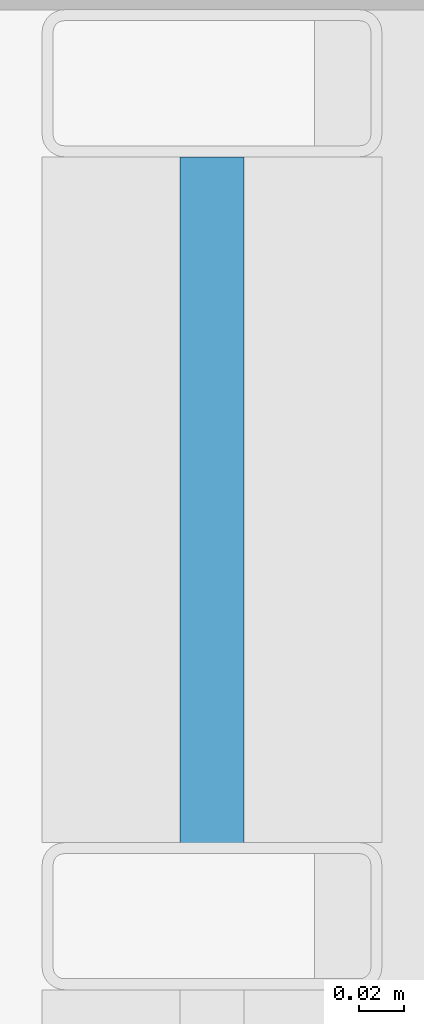
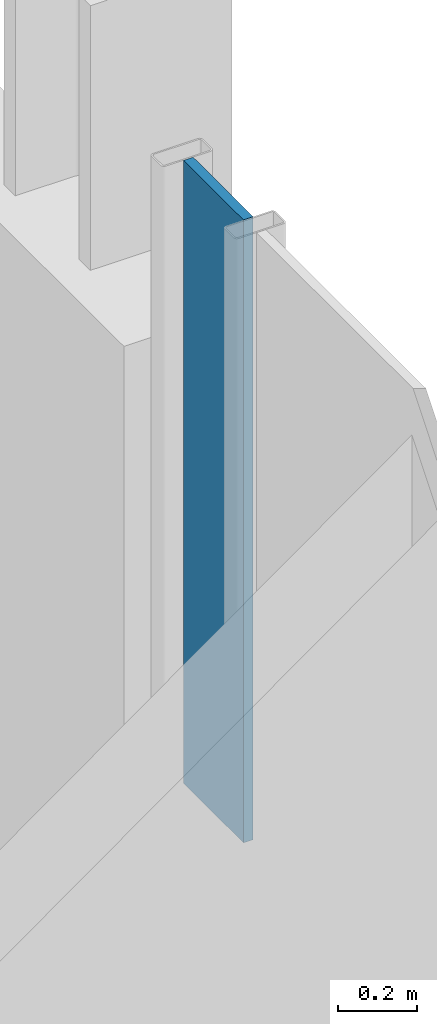
# One storey, part 28 of 40: 1 plate, 1 element without a shape of its own.
"""IFC4 building model written with IfcOpenShell, lengths in metres."""

from ifc_helpers import new_model, si_unit, direction, frame, origin, origin_2d, place, context, subcontext, project, spatial, rectangle, extrude, material, layer, layer_set, type_object, element, aggregate, save


model = new_model("IFC4")

# Units and contexts
model_context = context("Model", 3, precision=1e-05, world=origin(), true_north=direction((0.0, 1.0)))
body_context = subcontext(model_context, "Body", "Model", "MODEL_VIEW")
ifc_project = project(units=[si_unit("LENGTHUNIT", "METRE"), si_unit("AREAUNIT", "SQUARE_METRE"), si_unit("VOLUMEUNIT", "CUBIC_METRE"), si_unit("PLANEANGLEUNIT", "RADIAN"), si_unit("MASSUNIT", "GRAM", prefix="KILO")], contexts=[model_context])

# Site, building, storey
site_placement = place(None, origin())
site = spatial("IfcSite", under=ifc_project, at=site_placement, CompositionType="ELEMENT")
building_placement = place(site_placement, origin())
building = spatial("IfcBuilding", under=site, at=building_placement, Name="Brevholm Reach", CompositionType="ELEMENT")
storey_placement = place(building_placement, frame((0.0, 0.0, 131.39990234375)))
storey = spatial("IfcBuildingStorey", under=building, at=storey_placement, Name="L39", CompositionType="ELEMENT", Elevation=131.39990234375)

# Curtain wall, plate
ifc_material_1 = material(Name="Dark Anodised Aluminium 6063-T6 and Solar-Control Glass", Category="aluminium")
ifc_layer_1 = layer(ifc_material_1, 0.14990234375)
ifc_layer_set_1 = layer_set([ifc_layer_1], Name="Dark Anodised Aluminium 6063-T6 and Solar-Control Glass")
curtain_wall_type = type_object("IfcCurtainWallType", Name="CW-01", PredefinedType="NOTDEFINED", material=ifc_layer_set_1)
curtain_wall_placement = place(storey_placement, origin())
curtain_wall = element("IfcCurtainWall", 1, at=curtain_wall_placement, inside=storey, type_object=curtain_wall_type, Name="L39 Curtain Wall CW-01", PredefinedType="NOTDEFINED")
ifc_material_2 = material(Name="Dark Solar-Control Double-Glazed IGU Glass", Category="glass")
ifc_layer_2 = layer(ifc_material_2, 0.028076171875)
ifc_layer_set_2 = layer_set([ifc_layer_2], Name="Dark Solar-Control Double-Glazed IGU Glass")
plate_type = type_object("IfcPlateType", Name="CWP-GLZ-28", PredefinedType="CURTAIN_PANEL", material=ifc_layer_set_2)
plate_placement = place(storey_placement, frame((59.85009765625, 22.733642578125, 0.9326171875), z_axis=(0.0, 0.0, 1.0), x_axis=(0.0, 1.0, 0.0)))
plate = element("IfcPlate", 2, at=plate_placement, type_object=plate_type, Name="CP-01 Glazing Panel 5.2", PredefinedType="CURTAIN_PANEL", context=body_context, shape_type="SweptSolid", body=[
    extrude(rectangle(XDim=0.302490234375, YDim=0.028076171875, at=origin_2d()), origin(), (0.0, 0.0, 1.0), 1.91748046875),
])
aggregate(curtain_wall, [plate])

save(model, "model.ifc")
